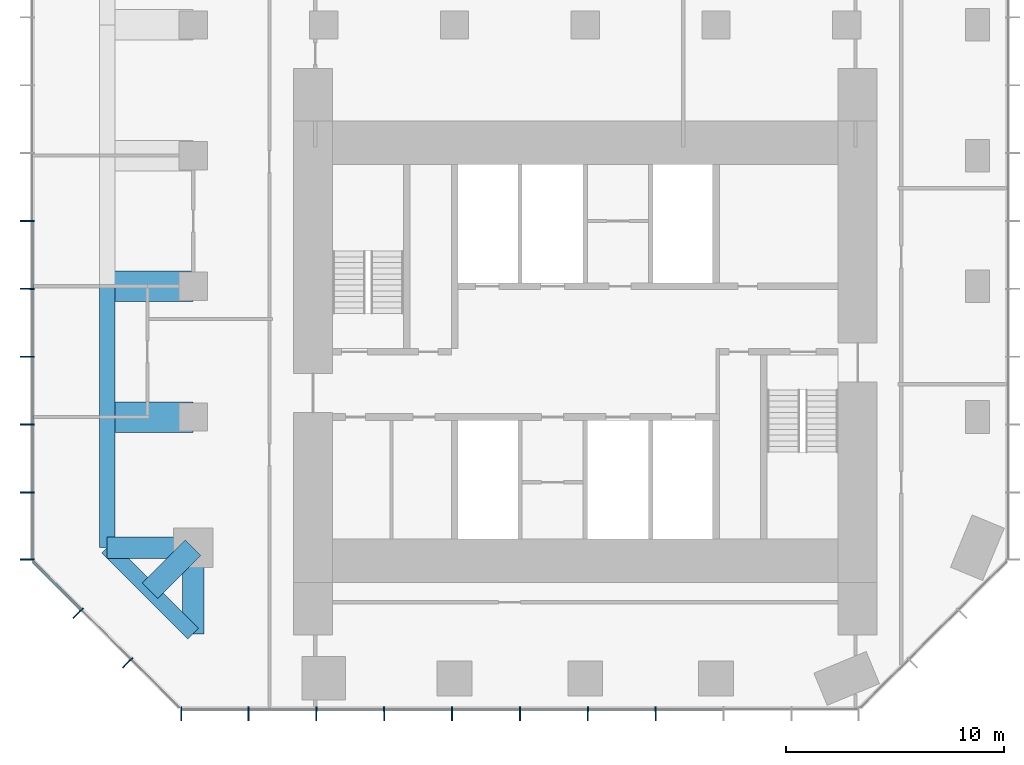
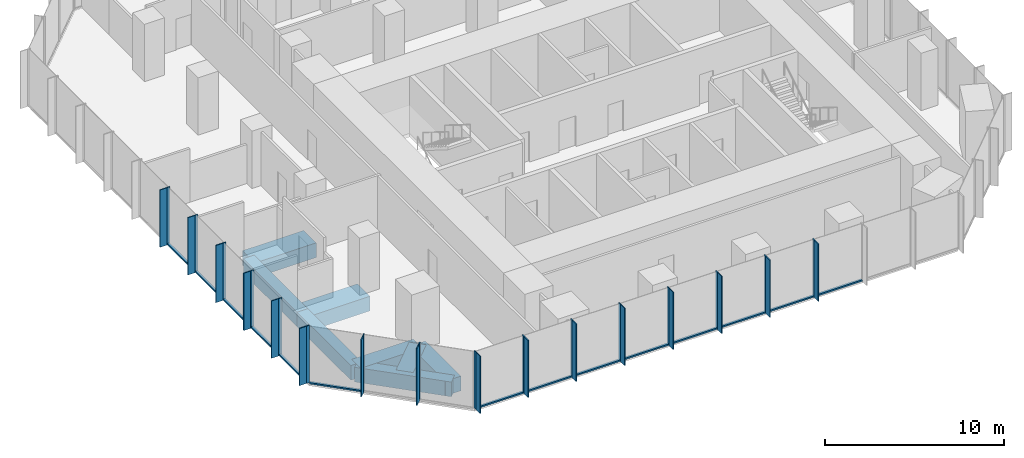
# One storey, part 2 of 11: 46 members, 8 beams, 3 elements without a shape of their own.
"""IFC4 building model written with IfcOpenShell, lengths in metres."""

from ifc_helpers import new_model, si_unit, direction, frame, origin, origin_2d, place, context, subcontext, project, spatial, rectangle, extrude, material, layer, layer_set, material_profile, profile_set, type_object, element, aggregate, save


model = new_model("IFC4")

# Units and contexts
model_context = context("Model", 3, precision=1e-05, world=origin(), true_north=direction((0.0, 1.0)))
body_context = subcontext(model_context, "Body", "Model", "MODEL_VIEW")
ifc_project = project(units=[si_unit("LENGTHUNIT", "METRE"), si_unit("AREAUNIT", "SQUARE_METRE"), si_unit("VOLUMEUNIT", "CUBIC_METRE"), si_unit("PLANEANGLEUNIT", "RADIAN"), si_unit("MASSUNIT", "GRAM", prefix="KILO")], contexts=[model_context])

# Site, building, storey
site_placement = place(None, origin())
site = spatial("IfcSite", under=ifc_project, at=site_placement, CompositionType="ELEMENT")
building_placement = place(site_placement, origin())
building = spatial("IfcBuilding", under=site, at=building_placement, Name="Highveld Stack Headquarters", CompositionType="ELEMENT")
storey_placement = place(building_placement, frame((0.0, 0.0, 204.5)))
storey = spatial("IfcBuildingStorey", under=building, at=storey_placement, Name="L50", CompositionType="ELEMENT", Elevation=204.5)

# Beams
ifc_material_1 = material(Name="Concrete C60/75", Category="concrete")
ifc_material_profile_1 = material_profile(ifc_material_1, rectangle(XDim=1.0, YDim=1.0, at=origin_2d()), Name="RC 1000x1000")
ifc_profile_set_1 = profile_set([ifc_material_profile_1], Name="Concrete C60/75")
beam_type_1 = type_object("IfcBeamType", Name="CANTILEVER RIB RC 1000x1000", PredefinedType="USERDEFINED", material=ifc_profile_set_1)
for number, where, z_axis, x_axis, name in (
    (1, (-12.0, -6.0, -0.75), (-1.0, 0.0, 0.0), (0.0, -1.0, 0.0), "Cantilever rib 4/D L50"),
    (2, (-12.0, -6.0, -0.75), (0.0, -1.0, 0.0), (1.0, 0.0, 0.0), "Cantilever rib 4/D L50"),
):
    element("IfcBeam", number, at=place(storey_placement, frame(where, z_axis=z_axis, x_axis=x_axis)), inside=storey, type_object=beam_type_1, Name=name, ObjectType="CANTILEVER RIB", PredefinedType="USERDEFINED", context=body_context, shape_type="SweptSolid", body=[
        extrude(rectangle(XDim=1.0, YDim=1.0, at=origin_2d()), origin(), (0.0, 0.0, 1.0), 3.949951171875),
    ])
beam_1_placement = place(storey_placement, frame((-12.0, -6.0, -0.75), z_axis=(-0.707106781187, -0.707106781187, 0.0), x_axis=(0.707106781187, -0.707106781187, 0.0)))
element("IfcBeam", 3, at=beam_1_placement, inside=storey, type_object=beam_type_1, Name="Cantilever rib 4/D L50", ObjectType="CANTILEVER RIB", PredefinedType="USERDEFINED", context=body_context, shape_type="SweptSolid", body=[
    extrude(rectangle(XDim=1.0, YDim=1.0, at=origin_2d()), origin(), (0.0, 0.0, 1.0), 2.793212890625),
])
ifc_material_2 = material(Name="Concrete C60/75", Category="concrete")
ifc_material_profile_2 = material_profile(ifc_material_2, rectangle(XDim=1.39990234375, YDim=1.0, at=origin_2d()), Name="RC 1400x1000")
ifc_profile_set_2 = profile_set([ifc_material_profile_2], Name="Concrete C60/75")
beam_type_2 = type_object("IfcBeamType", Name="CANTILEVER RIB RC 1400x1000", PredefinedType="USERDEFINED", material=ifc_profile_set_2)
for number, where, z_axis, x_axis, name in (
    (4, (-12.0, 0.0, -0.75), (-1.0, 0.0, 0.0), (0.0, -1.0, 0.0), "Cantilever rib 4/E L50"),
    (5, (-12.0, 6.0, -0.75), (-1.0, 0.0, 0.0), (0.0, -1.0, 0.0), "Cantilever rib 4/F L50"),
):
    element("IfcBeam", number, at=place(storey_placement, frame(where, z_axis=z_axis, x_axis=x_axis)), inside=storey, type_object=beam_type_2, Name=name, ObjectType="CANTILEVER RIB", PredefinedType="USERDEFINED", context=body_context, shape_type="SweptSolid", body=[
        extrude(rectangle(XDim=1.39990234375, YDim=1.0, at=origin_2d()), origin(), (0.0, 0.0, 1.0), 3.949951171875),
    ])

# Curtain wall, members
ifc_material_3 = material(Name="Aluminium bronze anodised", Category="aluminium")
ifc_layer_1 = layer(ifc_material_3, 0.199951171875)
ifc_layer_set_1 = layer_set([ifc_layer_1], Name="Aluminium bronze anodised")
curtain_wall_type_1 = type_object("IfcCurtainWallType", Name="CW1 TOWER UNITISED CURTAIN WALL", PredefinedType="NOTDEFINED", material=ifc_layer_set_1)
curtain_wall_1_placement = place(storey_placement, origin())
curtain_wall_1 = element("IfcCurtainWall", 6, at=curtain_wall_1_placement, inside=storey, type_object=curtain_wall_type_1, Name="Curtain wall CW1 L50 S", PredefinedType="NOTDEFINED")
ifc_material_4 = material(Name="Aluminium bronze anodised", Category="aluminium")
ifc_material_profile_3 = material_profile(ifc_material_4, rectangle(XDim=0.449951171875, YDim=0.06005859375, at=origin_2d()), Name="FIN 450x60")
ifc_profile_set_3 = profile_set([ifc_material_profile_3], Name="Aluminium bronze anodised")
member_type_1 = type_object("IfcMemberType", Name="CW1 BRONZE FIN 450x60", PredefinedType="USERDEFINED", material=ifc_profile_set_3)
member_1_placement = place(storey_placement, frame((-12.54736328125, -13.72509765625, 0.0), z_axis=(0.0, 0.0, 1.0), x_axis=(0.0, 1.0, 0.0)))
member_1 = element("IfcMember", 7, at=member_1_placement, type_object=member_type_1, Name="CW1 fin L50 1", ObjectType="FIN", PredefinedType="USERDEFINED", context=body_context, shape_type="SweptSolid", body=[
    extrude(rectangle(XDim=0.449951171875, YDim=0.06005859375, at=origin_2d()), origin(), (0.0, 0.0, 1.0), 3.89990234375),
])
member_2_placement = place(storey_placement, frame((-9.4638671875, -13.72509765625, 0.0), z_axis=(0.0, 0.0, 1.0), x_axis=(0.0, 1.0, 0.0)))
member_2 = element("IfcMember", 8, at=member_2_placement, type_object=member_type_1, Name="CW1 fin L50 2", ObjectType="FIN", PredefinedType="USERDEFINED", context=body_context, shape_type="SweptSolid", body=[
    extrude(rectangle(XDim=0.449951171875, YDim=0.06005859375, at=origin_2d()), origin(), (0.0, 0.0, 1.0), 3.89990234375),
])
member_3_placement = place(storey_placement, frame((-6.347900390625, -13.72509765625, 0.0), z_axis=(0.0, 0.0, 1.0), x_axis=(0.0, 1.0, 0.0)))
member_3 = element("IfcMember", 9, at=member_3_placement, type_object=member_type_1, Name="CW1 fin L50 3", ObjectType="FIN", PredefinedType="USERDEFINED", context=body_context, shape_type="SweptSolid", body=[
    extrude(rectangle(XDim=0.449951171875, YDim=0.06005859375, at=origin_2d()), origin(), (0.0, 0.0, 1.0), 3.89990234375),
])
member_4_placement = place(storey_placement, frame((-3.23193359375, -13.72509765625, 0.0), z_axis=(0.0, 0.0, 1.0), x_axis=(0.0, 1.0, 0.0)))
member_4 = element("IfcMember", 10, at=member_4_placement, type_object=member_type_1, Name="CW1 fin L50 4", ObjectType="FIN", PredefinedType="USERDEFINED", context=body_context, shape_type="SweptSolid", body=[
    extrude(rectangle(XDim=0.449951171875, YDim=0.06005859375, at=origin_2d()), origin(), (0.0, 0.0, 1.0), 3.89990234375),
])
member_5_placement = place(storey_placement, frame((-0.115966796875, -13.72509765625, 0.0), z_axis=(0.0, 0.0, 1.0), x_axis=(0.0, 1.0, 0.0)))
member_5 = element("IfcMember", 11, at=member_5_placement, type_object=member_type_1, Name="CW1 fin L50 5", ObjectType="FIN", PredefinedType="USERDEFINED", context=body_context, shape_type="SweptSolid", body=[
    extrude(rectangle(XDim=0.449951171875, YDim=0.06005859375, at=origin_2d()), origin(), (0.0, 0.0, 1.0), 3.89990234375),
])
member_6_placement = place(storey_placement, frame((3.0, -13.72509765625, 0.0), z_axis=(0.0, 0.0, 1.0), x_axis=(0.0, 1.0, 0.0)))
member_6 = element("IfcMember", 12, at=member_6_placement, type_object=member_type_1, Name="CW1 fin L50 6", ObjectType="FIN", PredefinedType="USERDEFINED", context=body_context, shape_type="SweptSolid", body=[
    extrude(rectangle(XDim=0.449951171875, YDim=0.06005859375, at=origin_2d()), origin(), (0.0, 0.0, 1.0), 3.89990234375),
])
member_7_placement = place(storey_placement, frame((6.115966796875, -13.72509765625, 0.0), z_axis=(0.0, 0.0, 1.0), x_axis=(0.0, 1.0, 0.0)))
member_7 = element("IfcMember", 13, at=member_7_placement, type_object=member_type_1, Name="CW1 fin L50 7", ObjectType="FIN", PredefinedType="USERDEFINED", context=body_context, shape_type="SweptSolid", body=[
    extrude(rectangle(XDim=0.449951171875, YDim=0.06005859375, at=origin_2d()), origin(), (0.0, 0.0, 1.0), 3.89990234375),
])
member_8_placement = place(storey_placement, frame((9.23193359375, -13.72509765625, 0.0), z_axis=(0.0, 0.0, 1.0), x_axis=(0.0, 1.0, 0.0)))
member_8 = element("IfcMember", 14, at=member_8_placement, type_object=member_type_1, Name="CW1 fin L50 8", ObjectType="FIN", PredefinedType="USERDEFINED", context=body_context, shape_type="SweptSolid", body=[
    extrude(rectangle(XDim=0.449951171875, YDim=0.06005859375, at=origin_2d()), origin(), (0.0, 0.0, 1.0), 3.89990234375),
])

curtain_wall_2_placement = place(storey_placement, origin())
curtain_wall_2 = element("IfcCurtainWall", 15, at=curtain_wall_2_placement, inside=storey, type_object=curtain_wall_type_1, Name="Curtain wall CW1 L50 W", PredefinedType="NOTDEFINED")
member_9_placement = place(storey_placement, frame((-19.72509765625, 9.0, 0.0), z_axis=(0.0, 0.0, 1.0), x_axis=(1.0, 0.0, 0.0)))
member_9 = element("IfcMember", 16, at=member_9_placement, type_object=member_type_1, Name="CW1 fin L50 6", ObjectType="FIN", PredefinedType="USERDEFINED", context=body_context, shape_type="SweptSolid", body=[
    extrude(rectangle(XDim=0.449951171875, YDim=0.06005859375, at=origin_2d()), origin(), (0.0, 0.0, 1.0), 3.89990234375),
])
member_10_placement = place(storey_placement, frame((-19.72509765625, 5.884033203125, 0.0), z_axis=(0.0, 0.0, 1.0), x_axis=(1.0, 0.0, 0.0)))
member_10 = element("IfcMember", 17, at=member_10_placement, type_object=member_type_1, Name="CW1 fin L50 7", ObjectType="FIN", PredefinedType="USERDEFINED", context=body_context, shape_type="SweptSolid", body=[
    extrude(rectangle(XDim=0.449951171875, YDim=0.06005859375, at=origin_2d()), origin(), (0.0, 0.0, 1.0), 3.89990234375),
])
member_11_placement = place(storey_placement, frame((-19.72509765625, 2.76806640625, 0.0), z_axis=(0.0, 0.0, 1.0), x_axis=(1.0, 0.0, 0.0)))
member_11 = element("IfcMember", 18, at=member_11_placement, type_object=member_type_1, Name="CW1 fin L50 8", ObjectType="FIN", PredefinedType="USERDEFINED", context=body_context, shape_type="SweptSolid", body=[
    extrude(rectangle(XDim=0.449951171875, YDim=0.06005859375, at=origin_2d()), origin(), (0.0, 0.0, 1.0), 3.89990234375),
])
member_12_placement = place(storey_placement, frame((-19.72509765625, -0.347900390625, 0.0), z_axis=(0.0, 0.0, 1.0), x_axis=(1.0, 0.0, 0.0)))
member_12 = element("IfcMember", 19, at=member_12_placement, type_object=member_type_1, Name="CW1 fin L50 9", ObjectType="FIN", PredefinedType="USERDEFINED", context=body_context, shape_type="SweptSolid", body=[
    extrude(rectangle(XDim=0.449951171875, YDim=0.06005859375, at=origin_2d()), origin(), (0.0, 0.0, 1.0), 3.89990234375),
])
member_13_placement = place(storey_placement, frame((-19.72509765625, -3.4638671875, 0.0), z_axis=(0.0, 0.0, 1.0), x_axis=(1.0, 0.0, 0.0)))
member_13 = element("IfcMember", 20, at=member_13_placement, type_object=member_type_1, Name="CW1 fin L50 10", ObjectType="FIN", PredefinedType="USERDEFINED", context=body_context, shape_type="SweptSolid", body=[
    extrude(rectangle(XDim=0.449951171875, YDim=0.06005859375, at=origin_2d()), origin(), (0.0, 0.0, 1.0), 3.89990234375),
])
member_14_placement = place(storey_placement, frame((-19.72509765625, -6.54736328125, 0.0), z_axis=(0.0, 0.0, 1.0), x_axis=(1.0, 0.0, 0.0)))
member_14 = element("IfcMember", 21, at=member_14_placement, type_object=member_type_1, Name="CW1 fin L50 11", ObjectType="FIN", PredefinedType="USERDEFINED", context=body_context, shape_type="SweptSolid", body=[
    extrude(rectangle(XDim=0.449951171875, YDim=0.06005859375, at=origin_2d()), origin(), (0.0, 0.0, 1.0), 3.89990234375),
])

# Member
ifc_material_5 = material(Name="Aluminium bronze anodised", Category="aluminium")
ifc_material_profile_4 = material_profile(ifc_material_5, rectangle(XDim=0.199951171875, YDim=0.06494140625, at=origin_2d()), Name="CW1 MULLION 65x200")
ifc_profile_set_4 = profile_set([ifc_material_profile_4], Name="Aluminium bronze anodised")
member_type_2 = type_object("IfcMemberType", Name="CW1 MULLION 65x200", PredefinedType="MULLION", material=ifc_profile_set_4)
member_15_placement = place(storey_placement, frame((-12.54736328125, -13.39990234375, 0.0), z_axis=(0.0, 0.0, 1.0), x_axis=(0.0, 1.0, 0.0)))
member_15 = element("IfcMember", 22, at=member_15_placement, type_object=member_type_2, Name="CW1 mullion L50 1", PredefinedType="MULLION", context=body_context, shape_type="SweptSolid", body=[
    extrude(rectangle(XDim=0.199951171875, YDim=0.06494140625, at=origin_2d()), origin(), (0.0, 0.0, 1.0), 3.89990234375),
])

member_16_placement = place(storey_placement, frame((-9.4638671875, -13.39990234375, 0.0), z_axis=(0.0, 0.0, 1.0), x_axis=(0.0, 1.0, 0.0)))
member_16 = element("IfcMember", 23, at=member_16_placement, type_object=member_type_2, Name="CW1 mullion L50 2", PredefinedType="MULLION", context=body_context, shape_type="SweptSolid", body=[
    extrude(rectangle(XDim=0.199951171875, YDim=0.06494140625, at=origin_2d()), origin(), (0.0, 0.0, 1.0), 3.89990234375),
])

member_17_placement = place(storey_placement, frame((-6.347900390625, -13.39990234375, 0.0), z_axis=(0.0, 0.0, 1.0), x_axis=(0.0, 1.0, 0.0)))
member_17 = element("IfcMember", 24, at=member_17_placement, type_object=member_type_2, Name="CW1 mullion L50 3", PredefinedType="MULLION", context=body_context, shape_type="SweptSolid", body=[
    extrude(rectangle(XDim=0.199951171875, YDim=0.06494140625, at=origin_2d()), origin(), (0.0, 0.0, 1.0), 3.89990234375),
])

member_18_placement = place(storey_placement, frame((-3.23193359375, -13.39990234375, 0.0), z_axis=(0.0, 0.0, 1.0), x_axis=(0.0, 1.0, 0.0)))
member_18 = element("IfcMember", 25, at=member_18_placement, type_object=member_type_2, Name="CW1 mullion L50 4", PredefinedType="MULLION", context=body_context, shape_type="SweptSolid", body=[
    extrude(rectangle(XDim=0.199951171875, YDim=0.06494140625, at=origin_2d()), origin(), (0.0, 0.0, 1.0), 3.89990234375),
])

member_19_placement = place(storey_placement, frame((-0.115966796875, -13.39990234375, 0.0), z_axis=(0.0, 0.0, 1.0), x_axis=(0.0, 1.0, 0.0)))
member_19 = element("IfcMember", 26, at=member_19_placement, type_object=member_type_2, Name="CW1 mullion L50 5", PredefinedType="MULLION", context=body_context, shape_type="SweptSolid", body=[
    extrude(rectangle(XDim=0.199951171875, YDim=0.06494140625, at=origin_2d()), origin(), (0.0, 0.0, 1.0), 3.89990234375),
])

member_20_placement = place(storey_placement, frame((3.0, -13.39990234375, 0.0), z_axis=(0.0, 0.0, 1.0), x_axis=(0.0, 1.0, 0.0)))
member_20 = element("IfcMember", 27, at=member_20_placement, type_object=member_type_2, Name="CW1 mullion L50 6", PredefinedType="MULLION", context=body_context, shape_type="SweptSolid", body=[
    extrude(rectangle(XDim=0.199951171875, YDim=0.06494140625, at=origin_2d()), origin(), (0.0, 0.0, 1.0), 3.89990234375),
])

member_21_placement = place(storey_placement, frame((6.115966796875, -13.39990234375, 0.0), z_axis=(0.0, 0.0, 1.0), x_axis=(0.0, 1.0, 0.0)))
member_21 = element("IfcMember", 28, at=member_21_placement, type_object=member_type_2, Name="CW1 mullion L50 7", PredefinedType="MULLION", context=body_context, shape_type="SweptSolid", body=[
    extrude(rectangle(XDim=0.199951171875, YDim=0.06494140625, at=origin_2d()), origin(), (0.0, 0.0, 1.0), 3.89990234375),
])

member_22_placement = place(storey_placement, frame((9.23193359375, -13.39990234375, 0.0), z_axis=(0.0, 0.0, 1.0), x_axis=(0.0, 1.0, 0.0)))
member_22 = element("IfcMember", 29, at=member_22_placement, type_object=member_type_2, Name="CW1 mullion L50 8", PredefinedType="MULLION", context=body_context, shape_type="SweptSolid", body=[
    extrude(rectangle(XDim=0.199951171875, YDim=0.06494140625, at=origin_2d()), origin(), (0.0, 0.0, 1.0), 3.89990234375),
])

member_23_placement = place(storey_placement, frame((-19.39990234375, 9.0, 0.0), z_axis=(0.0, 0.0, 1.0), x_axis=(1.0, 0.0, 0.0)))
member_23 = element("IfcMember", 30, at=member_23_placement, type_object=member_type_2, Name="CW1 mullion L50 6", PredefinedType="MULLION", context=body_context, shape_type="SweptSolid", body=[
    extrude(rectangle(XDim=0.199951171875, YDim=0.06494140625, at=origin_2d()), origin(), (0.0, 0.0, 1.0), 3.89990234375),
])

member_24_placement = place(storey_placement, frame((-19.39990234375, 5.884033203125, 0.0), z_axis=(0.0, 0.0, 1.0), x_axis=(1.0, 0.0, 0.0)))
member_24 = element("IfcMember", 31, at=member_24_placement, type_object=member_type_2, Name="CW1 mullion L50 7", PredefinedType="MULLION", context=body_context, shape_type="SweptSolid", body=[
    extrude(rectangle(XDim=0.199951171875, YDim=0.06494140625, at=origin_2d()), origin(), (0.0, 0.0, 1.0), 3.89990234375),
])

member_25_placement = place(storey_placement, frame((-19.39990234375, 2.76806640625, 0.0), z_axis=(0.0, 0.0, 1.0), x_axis=(1.0, 0.0, 0.0)))
member_25 = element("IfcMember", 32, at=member_25_placement, type_object=member_type_2, Name="CW1 mullion L50 8", PredefinedType="MULLION", context=body_context, shape_type="SweptSolid", body=[
    extrude(rectangle(XDim=0.199951171875, YDim=0.06494140625, at=origin_2d()), origin(), (0.0, 0.0, 1.0), 3.89990234375),
])

member_26_placement = place(storey_placement, frame((-19.39990234375, -0.347900390625, 0.0), z_axis=(0.0, 0.0, 1.0), x_axis=(1.0, 0.0, 0.0)))
member_26 = element("IfcMember", 33, at=member_26_placement, type_object=member_type_2, Name="CW1 mullion L50 9", PredefinedType="MULLION", context=body_context, shape_type="SweptSolid", body=[
    extrude(rectangle(XDim=0.199951171875, YDim=0.06494140625, at=origin_2d()), origin(), (0.0, 0.0, 1.0), 3.89990234375),
])

member_27_placement = place(storey_placement, frame((-19.39990234375, -3.4638671875, 0.0), z_axis=(0.0, 0.0, 1.0), x_axis=(1.0, 0.0, 0.0)))
member_27 = element("IfcMember", 34, at=member_27_placement, type_object=member_type_2, Name="CW1 mullion L50 10", PredefinedType="MULLION", context=body_context, shape_type="SweptSolid", body=[
    extrude(rectangle(XDim=0.199951171875, YDim=0.06494140625, at=origin_2d()), origin(), (0.0, 0.0, 1.0), 3.89990234375),
])

member_28_placement = place(storey_placement, frame((-19.39990234375, -6.54736328125, 0.0), z_axis=(0.0, 0.0, 1.0), x_axis=(1.0, 0.0, 0.0)))
member_28 = element("IfcMember", 35, at=member_28_placement, type_object=member_type_2, Name="CW1 mullion L50 11", PredefinedType="MULLION", context=body_context, shape_type="SweptSolid", body=[
    extrude(rectangle(XDim=0.199951171875, YDim=0.06494140625, at=origin_2d()), origin(), (0.0, 0.0, 1.0), 3.89990234375),
])

ifc_material_6 = material(Name="Aluminium bronze anodised", Category="aluminium")
ifc_material_profile_5 = material_profile(ifc_material_6, rectangle(XDim=0.14990234375, YDim=0.10009765625, at=origin_2d()), Name="CW1 TRANSOM 150x100")
ifc_profile_set_5 = profile_set([ifc_material_profile_5], Name="Aluminium bronze anodised")
member_type_3 = type_object("IfcMemberType", Name="CW1 STACK TRANSOM 150x100", PredefinedType="USERDEFINED", material=ifc_profile_set_5)
member_29_placement = place(storey_placement, frame((-12.514892578125, -13.39990234375, 0.050048828125), z_axis=(1.0, 0.0, 0.0), x_axis=(0.0, 1.0, 0.0)))
member_29 = element("IfcMember", 36, at=member_29_placement, type_object=member_type_3, Name="CW1 transom L50 1.1", ObjectType="TRANSOM", PredefinedType="USERDEFINED", context=body_context, shape_type="SweptSolid", body=[
    extrude(rectangle(XDim=0.14990234375, YDim=0.10009765625, at=origin_2d()), origin(), (0.0, 0.0, 1.0), 3.0185546875),
])

member_30_placement = place(storey_placement, frame((-9.431396484375, -13.39990234375, 0.050048828125), z_axis=(1.0, 0.0, 0.0), x_axis=(0.0, 1.0, 0.0)))
member_30 = element("IfcMember", 37, at=member_30_placement, type_object=member_type_3, Name="CW1 transom L50 2.1", ObjectType="TRANSOM", PredefinedType="USERDEFINED", context=body_context, shape_type="SweptSolid", body=[
    extrude(rectangle(XDim=0.14990234375, YDim=0.10009765625, at=origin_2d()), origin(), (0.0, 0.0, 1.0), 3.051025390625),
])

member_31_placement = place(storey_placement, frame((-6.3154296875, -13.39990234375, 0.050048828125), z_axis=(1.0, 0.0, 0.0), x_axis=(0.0, 1.0, 0.0)))
member_31 = element("IfcMember", 38, at=member_31_placement, type_object=member_type_3, Name="CW1 transom L50 3.1", ObjectType="TRANSOM", PredefinedType="USERDEFINED", context=body_context, shape_type="SweptSolid", body=[
    extrude(rectangle(XDim=0.14990234375, YDim=0.10009765625, at=origin_2d()), origin(), (0.0, 0.0, 1.0), 3.051025390625),
])

member_32_placement = place(storey_placement, frame((-3.199462890625, -13.39990234375, 0.050048828125), z_axis=(1.0, 0.0, 0.0), x_axis=(0.0, 1.0, 0.0)))
member_32 = element("IfcMember", 39, at=member_32_placement, type_object=member_type_3, Name="CW1 transom L50 4.1", ObjectType="TRANSOM", PredefinedType="USERDEFINED", context=body_context, shape_type="SweptSolid", body=[
    extrude(rectangle(XDim=0.14990234375, YDim=0.10009765625, at=origin_2d()), origin(), (0.0, 0.0, 1.0), 3.051025390625),
])

member_33_placement = place(storey_placement, frame((-0.08349609375, -13.39990234375, 0.050048828125), z_axis=(1.0, 0.0, 0.0), x_axis=(0.0, 1.0, 0.0)))
member_33 = element("IfcMember", 40, at=member_33_placement, type_object=member_type_3, Name="CW1 transom L50 5.1", ObjectType="TRANSOM", PredefinedType="USERDEFINED", context=body_context, shape_type="SweptSolid", body=[
    extrude(rectangle(XDim=0.14990234375, YDim=0.10009765625, at=origin_2d()), origin(), (0.0, 0.0, 1.0), 3.051025390625),
])

member_34_placement = place(storey_placement, frame((3.032470703125, -13.39990234375, 0.050048828125), z_axis=(1.0, 0.0, 0.0), x_axis=(0.0, 1.0, 0.0)))
member_34 = element("IfcMember", 41, at=member_34_placement, type_object=member_type_3, Name="CW1 transom L50 6.1", ObjectType="TRANSOM", PredefinedType="USERDEFINED", context=body_context, shape_type="SweptSolid", body=[
    extrude(rectangle(XDim=0.14990234375, YDim=0.10009765625, at=origin_2d()), origin(), (0.0, 0.0, 1.0), 3.051025390625),
])

member_35_placement = place(storey_placement, frame((6.1484375, -13.39990234375, 0.050048828125), z_axis=(1.0, 0.0, 0.0), x_axis=(0.0, 1.0, 0.0)))
member_35 = element("IfcMember", 42, at=member_35_placement, type_object=member_type_3, Name="CW1 transom L50 7.1", ObjectType="TRANSOM", PredefinedType="USERDEFINED", context=body_context, shape_type="SweptSolid", body=[
    extrude(rectangle(XDim=0.14990234375, YDim=0.10009765625, at=origin_2d()), origin(), (0.0, 0.0, 1.0), 3.051025390625),
])

member_36_placement = place(storey_placement, frame((9.264404296875, -13.39990234375, 0.050048828125), z_axis=(1.0, 0.0, 0.0), x_axis=(0.0, 1.0, 0.0)))
member_36 = element("IfcMember", 43, at=member_36_placement, type_object=member_type_3, Name="CW1 transom L50 8.1", ObjectType="TRANSOM", PredefinedType="USERDEFINED", context=body_context, shape_type="SweptSolid", body=[
    extrude(rectangle(XDim=0.14990234375, YDim=0.10009765625, at=origin_2d()), origin(), (0.0, 0.0, 1.0), 3.051025390625),
])

aggregate(curtain_wall_1, [member_15, member_1, member_16, member_2, member_17, member_3, member_18, member_4, member_19, member_5, member_20, member_6, member_21, member_7, member_22, member_8, member_29, member_30, member_31, member_32, member_33, member_34, member_35, member_36])

member_37_placement = place(storey_placement, frame((-19.39990234375, 8.967529296875, 0.050048828125), z_axis=(0.0, -1.0, 0.0), x_axis=(1.0, 0.0, 0.0)))
member_37 = element("IfcMember", 44, at=member_37_placement, type_object=member_type_3, Name="CW1 transom L50 6.1", ObjectType="TRANSOM", PredefinedType="USERDEFINED", context=body_context, shape_type="SweptSolid", body=[
    extrude(rectangle(XDim=0.14990234375, YDim=0.10009765625, at=origin_2d()), origin(), (0.0, 0.0, 1.0), 3.051025390625),
])

member_38_placement = place(storey_placement, frame((-19.39990234375, 5.8515625, 0.050048828125), z_axis=(0.0, -1.0, 0.0), x_axis=(1.0, 0.0, 0.0)))
member_38 = element("IfcMember", 45, at=member_38_placement, type_object=member_type_3, Name="CW1 transom L50 7.1", ObjectType="TRANSOM", PredefinedType="USERDEFINED", context=body_context, shape_type="SweptSolid", body=[
    extrude(rectangle(XDim=0.14990234375, YDim=0.10009765625, at=origin_2d()), origin(), (0.0, 0.0, 1.0), 3.051025390625),
])

member_39_placement = place(storey_placement, frame((-19.39990234375, 2.735595703125, 0.050048828125), z_axis=(0.0, -1.0, 0.0), x_axis=(1.0, 0.0, 0.0)))
member_39 = element("IfcMember", 46, at=member_39_placement, type_object=member_type_3, Name="CW1 transom L50 8.1", ObjectType="TRANSOM", PredefinedType="USERDEFINED", context=body_context, shape_type="SweptSolid", body=[
    extrude(rectangle(XDim=0.14990234375, YDim=0.10009765625, at=origin_2d()), origin(), (0.0, 0.0, 1.0), 3.051025390625),
])

member_40_placement = place(storey_placement, frame((-19.39990234375, -0.38037109375, 0.050048828125), z_axis=(0.0, -1.0, 0.0), x_axis=(1.0, 0.0, 0.0)))
member_40 = element("IfcMember", 47, at=member_40_placement, type_object=member_type_3, Name="CW1 transom L50 9.1", ObjectType="TRANSOM", PredefinedType="USERDEFINED", context=body_context, shape_type="SweptSolid", body=[
    extrude(rectangle(XDim=0.14990234375, YDim=0.10009765625, at=origin_2d()), origin(), (0.0, 0.0, 1.0), 3.051025390625),
])

member_41_placement = place(storey_placement, frame((-19.39990234375, -3.496337890625, 0.050048828125), z_axis=(0.0, -1.0, 0.0), x_axis=(1.0, 0.0, 0.0)))
member_41 = element("IfcMember", 48, at=member_41_placement, type_object=member_type_3, Name="CW1 transom L50 10.1", ObjectType="TRANSOM", PredefinedType="USERDEFINED", context=body_context, shape_type="SweptSolid", body=[
    extrude(rectangle(XDim=0.14990234375, YDim=0.10009765625, at=origin_2d()), origin(), (0.0, 0.0, 1.0), 3.0185546875),
])

aggregate(curtain_wall_2, [member_23, member_9, member_24, member_10, member_25, member_11, member_26, member_12, member_27, member_13, member_28, member_14, member_37, member_38, member_39, member_40, member_41])

# Curtain wall, members
ifc_material_7 = material(Name="Aluminium bronze anodised", Category="aluminium")
ifc_layer_2 = layer(ifc_material_7, 0.199951171875)
ifc_layer_set_2 = layer_set([ifc_layer_2], Name="Aluminium bronze anodised")
curtain_wall_type_2 = type_object("IfcCurtainWallType", Name="CW2 TOWER CHAMFER UNITISED CURTAIN WALL", PredefinedType="NOTDEFINED", material=ifc_layer_set_2)
curtain_wall_3_placement = place(storey_placement, origin())
curtain_wall_3 = element("IfcCurtainWall", 49, at=curtain_wall_3_placement, inside=storey, type_object=curtain_wall_type_2, Name="Curtain wall CW2 L50 SW", PredefinedType="NOTDEFINED")
ifc_material_8 = material(Name="Aluminium bronze anodised", Category="aluminium")
ifc_material_profile_6 = material_profile(ifc_material_8, rectangle(XDim=0.449951171875, YDim=0.06005859375, at=origin_2d()), Name="FIN 450x60")
ifc_profile_set_6 = profile_set([ifc_material_profile_6], Name="Aluminium bronze anodised")
member_type_4 = type_object("IfcMemberType", Name="CW2 BRONZE FIN 450x60", PredefinedType="USERDEFINED", material=ifc_profile_set_6)
member_42_placement = place(storey_placement, frame((-17.3564453125, -9.0830078125, 0.0), z_axis=(0.0, 0.0, 1.0), x_axis=(0.707106781187, 0.707106781187, 0.0)))
member_42 = element("IfcMember", 50, at=member_42_placement, type_object=member_type_4, Name="CW2 fin L50 1", ObjectType="FIN", PredefinedType="USERDEFINED", context=body_context, shape_type="SweptSolid", body=[
    extrude(rectangle(XDim=0.449951171875, YDim=0.06005859375, at=origin_2d()), origin(), (0.0, 0.0, 1.0), 3.89990234375),
])
member_43_placement = place(storey_placement, frame((-15.0830078125, -11.3564453125, 0.0), z_axis=(0.0, 0.0, 1.0), x_axis=(0.707106781187, 0.707106781187, 0.0)))
member_43 = element("IfcMember", 51, at=member_43_placement, type_object=member_type_4, Name="CW2 fin L50 2", ObjectType="FIN", PredefinedType="USERDEFINED", context=body_context, shape_type="SweptSolid", body=[
    extrude(rectangle(XDim=0.449951171875, YDim=0.06005859375, at=origin_2d()), origin(), (0.0, 0.0, 1.0), 3.89990234375),
])
ifc_material_9 = material(Name="Aluminium bronze anodised", Category="aluminium")
ifc_material_profile_7 = material_profile(ifc_material_9, rectangle(XDim=0.199951171875, YDim=0.06494140625, at=origin_2d()), Name="CW2 MULLION 65x200")
ifc_profile_set_7 = profile_set([ifc_material_profile_7], Name="Aluminium bronze anodised")
member_type_5 = type_object("IfcMemberType", Name="CW2 MULLION 65x200", PredefinedType="MULLION", material=ifc_profile_set_7)
member_44_placement = place(storey_placement, frame((-17.126708984375, -8.853271484375, 0.0), z_axis=(0.0, 0.0, 1.0), x_axis=(0.707106781187, 0.707106781187, 0.0)))
member_44 = element("IfcMember", 52, at=member_44_placement, type_object=member_type_5, Name="CW2 mullion L50 1", PredefinedType="MULLION", context=body_context, shape_type="SweptSolid", body=[
    extrude(rectangle(XDim=0.199951171875, YDim=0.06494140625, at=origin_2d()), origin(), (0.0, 0.0, 1.0), 3.89990234375),
])
member_45_placement = place(storey_placement, frame((-14.853271484375, -11.126708984375, 0.0), z_axis=(0.0, 0.0, 1.0), x_axis=(0.707106781187, 0.707106781187, 0.0)))
member_45 = element("IfcMember", 53, at=member_45_placement, type_object=member_type_5, Name="CW2 mullion L50 2", PredefinedType="MULLION", context=body_context, shape_type="SweptSolid", body=[
    extrude(rectangle(XDim=0.199951171875, YDim=0.06494140625, at=origin_2d()), origin(), (0.0, 0.0, 1.0), 3.89990234375),
])
ifc_material_10 = material(Name="Aluminium bronze anodised", Category="aluminium")
ifc_material_profile_8 = material_profile(ifc_material_10, rectangle(XDim=0.14990234375, YDim=0.10009765625, at=origin_2d()), Name="CW2 TRANSOM 150x100")
ifc_profile_set_8 = profile_set([ifc_material_profile_8], Name="Aluminium bronze anodised")
member_type_6 = type_object("IfcMemberType", Name="CW2 STACK TRANSOM 150x100", PredefinedType="USERDEFINED", material=ifc_profile_set_8)
member_46_placement = place(storey_placement, frame((-19.329345703125, -6.650634765625, 0.050048828125), z_axis=(0.707106781187, -0.707106781187, 0.0), x_axis=(0.707106781187, 0.707106781187, 0.0)))
member_46 = element("IfcMember", 54, at=member_46_placement, type_object=member_type_6, Name="CW2 transom L50 1.1", ObjectType="TRANSOM", PredefinedType="USERDEFINED", context=body_context, shape_type="SweptSolid", body=[
    extrude(rectangle(XDim=0.14990234375, YDim=0.10009765625, at=origin_2d()), origin(), (0.0, 0.0, 1.0), 3.08251953125),
])
aggregate(curtain_wall_3, [member_44, member_42, member_45, member_43, member_46])

# Beams
ifc_material_11 = material(Name="Concrete C60/75", Category="concrete")
ifc_material_profile_9 = material_profile(ifc_material_11, rectangle(XDim=0.699951171875, YDim=1.0, at=origin_2d()), Name="RC 700x1000")
ifc_profile_set_9 = profile_set([ifc_material_profile_9], Name="Concrete C60/75")
beam_type_3 = type_object("IfcBeamType", Name="RIB TIP BEAM RC 700x1000", PredefinedType="SPANDREL", material=ifc_profile_set_9)
for number, where, z_axis, x_axis, name in (
    (55, (-15.949951171875, -6.0, -0.75), (0.0, 1.0, 0.0), (-1.0, 0.0, 0.0), "Rib tip beam 4/D to 4/E L50"),
    (56, (-15.949951171875, 0.0, -0.75), (0.0, 1.0, 0.0), (-1.0, 0.0, 0.0), "Rib tip beam 4/E to 4/F L50"),
):
    element("IfcBeam", number, at=place(storey_placement, frame(where, z_axis=z_axis, x_axis=x_axis)), inside=storey, type_object=beam_type_3, Name=name, PredefinedType="SPANDREL", context=body_context, shape_type="SweptSolid", body=[
        extrude(rectangle(XDim=0.699951171875, YDim=1.0, at=origin_2d()), origin(), (0.0, 0.0, 1.0), 6.0),
    ])
beam_2_placement = place(storey_placement, frame((-15.949951171875, -6.0, -0.75), z_axis=(0.707106781187, -0.707106781187, 0.0), x_axis=(0.707106781187, 0.707106781187, 0.0)))
element("IfcBeam", 57, at=beam_2_placement, inside=storey, type_object=beam_type_3, Name="Rib tip beam 4/D corner L50", PredefinedType="SPANDREL", context=body_context, shape_type="SweptSolid", body=[
    extrude(rectangle(XDim=0.699951171875, YDim=1.0, at=origin_2d()), origin(), (0.0, 0.0, 1.0), 5.586181640625),
])

save(model, "model.ifc")
